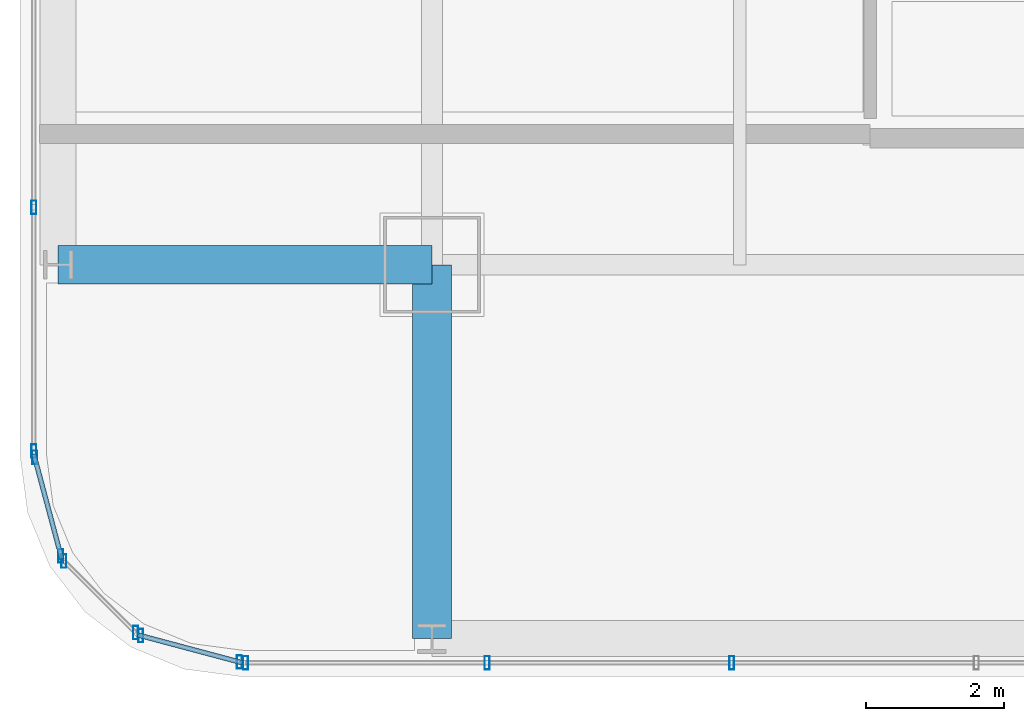
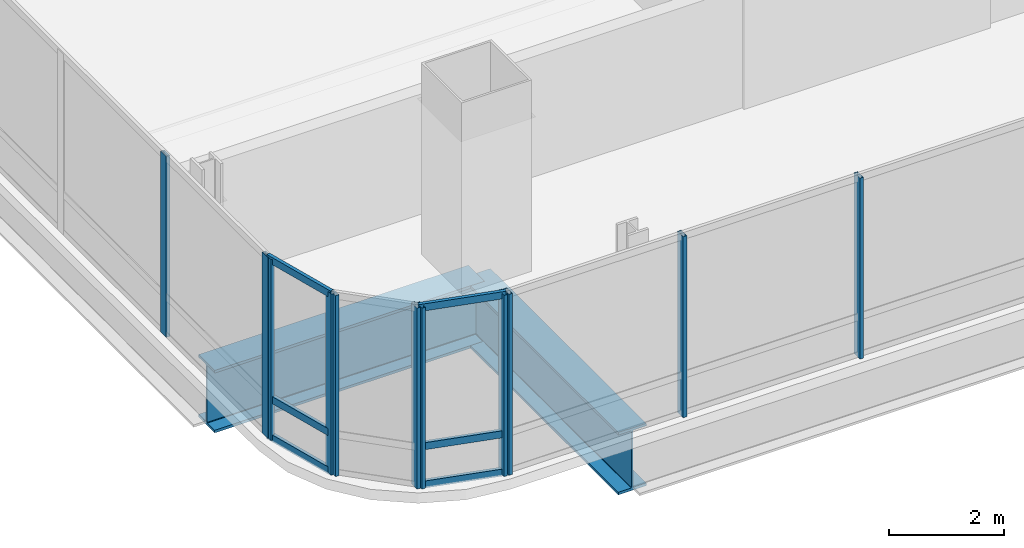
# One storey, part 2 of 36: 17 members, 2 beams, 5 elements without a shape of their own.
"""IFC4 building model written with IfcOpenShell, lengths in metres."""

from ifc_helpers import new_model, si_unit, direction, frame, origin, origin_2d, place, context, subcontext, project, spatial, hollow_rectangle, i_section, extrude, material, material_profile, profile_set, type_object, element, aggregate, save


model = new_model("IFC4")

# Units and contexts
model_context = context("Model", 3, precision=1e-05, world=origin(), true_north=direction((0.0, 1.0)))
body_context = subcontext(model_context, "Body", "Model", "MODEL_VIEW")
ifc_project = project(units=[si_unit("LENGTHUNIT", "METRE"), si_unit("AREAUNIT", "SQUARE_METRE"), si_unit("VOLUMEUNIT", "CUBIC_METRE"), si_unit("PLANEANGLEUNIT", "RADIAN"), si_unit("MASSUNIT", "GRAM", prefix="KILO")], contexts=[model_context])

# Site, building, storey
site_placement = place(None, origin())
site = spatial("IfcSite", under=ifc_project, at=site_placement, CompositionType="ELEMENT")
building_placement = place(site_placement, origin())
building = spatial("IfcBuilding", under=site, at=building_placement, Name="Punatoya Terracotta Tower", CompositionType="ELEMENT")
storey_placement = place(building_placement, frame((0.0, 0.0, 196.5)))
storey = spatial("IfcBuildingStorey", under=building, at=storey_placement, Name="L46", CompositionType="ELEMENT", Elevation=196.5)

# Beams
ifc_material_1 = material(Name="Steel S460", Category="steel")
ifc_material_profile_1 = material_profile(ifc_material_1, i_section(OverallWidth=0.56005859375, OverallDepth=1.320068359375, WebThickness=0.035888671875, FlangeThickness=0.054931640625, FilletRadius=0.01806640625, at=origin_2d()))
ifc_profile_set_1 = profile_set([ifc_material_profile_1], Name="Steel S460")
beam_type = type_object("IfcBeamType", Name="BM-TG-BLK", PredefinedType="BEAM", material=ifc_profile_set_1)
for number, where, z_axis, x_axis, name in (
    (1, (-24.5, -17.5, -0.8798828125), (1.0, 0.0, 0.0), (0.0, 1.0, 0.0), "BM-L46-CANT-W1"),
    (2, (-19.10009765625, -22.89990234375, -0.8798828125), (0.0, 1.0, 0.0), (-1.0, 0.0, 0.0), "BM-L46-CANT-S1"),
):
    element("IfcBeam", number, at=place(storey_placement, frame(where, z_axis=z_axis, x_axis=x_axis)), inside=storey, type_object=beam_type, Name=name, PredefinedType="BEAM", context=body_context, shape_type="SweptSolid", body=[
        extrude(i_section(OverallWidth=0.56005859375, OverallDepth=1.320068359375, WebThickness=0.035888671875, FlangeThickness=0.054931640625, FilletRadius=0.01806640625, at=origin_2d()), origin(), (0.0, 0.0, 1.0), 5.39990234375),
    ])

# Curtain wall, members
ifc_material_2 = material(Name="Aluminium 6063-T6 + Double Low-E Glass", Category="aluminium")
curtain_wall_type = type_object("IfcCurtainWallType", Name="CW-M2", PredefinedType="NOTDEFINED", material=ifc_material_2)
curtain_wall_1_placement = place(storey_placement, origin())
curtain_wall_1 = element("IfcCurtainWall", 3, at=curtain_wall_1_placement, inside=storey, type_object=curtain_wall_type, Name="L46 Curtain Wall CW-L46-S01-1", PredefinedType="NOTDEFINED")
ifc_material_3 = material(Name="Aluminium 6063-T6", Category="aluminium")
ifc_material_profile_2 = material_profile(ifc_material_3, hollow_rectangle(XDim=0.072021484375, YDim=0.195068359375, WallThickness=0.00439453125, at=origin_2d()))
ifc_profile_set_2 = profile_set([ifc_material_profile_2], Name="Aluminium 6063-T6")
member_type_1 = type_object("IfcMemberType", Name="CW-MUL-M2", PredefinedType="MULLION", material=ifc_profile_set_2)
member_1_placement = place(storey_placement, frame((-21.7919921875, -23.25, 0.0), z_axis=(0.0, 0.0, 1.0), x_axis=(1.0, 0.0, 0.0)))
member_1 = element("IfcMember", 4, at=member_1_placement, type_object=member_type_1, Name="CW-L46-S01-1 Mullion 00", PredefinedType="MULLION", context=body_context, shape_type="SweptSolid", body=[
    extrude(hollow_rectangle(XDim=0.072021484375, YDim=0.195068359375, WallThickness=0.00439453125, at=origin_2d()), origin(), (0.0, 0.0, 1.0), 3.830078125),
])
member_2_placement = place(storey_placement, frame((-18.302978515625, -23.25, 0.0), z_axis=(0.0, 0.0, 1.0), x_axis=(1.0, 0.0, 0.0)))
member_2 = element("IfcMember", 5, at=member_2_placement, type_object=member_type_1, Name="CW-L46-S01-1 Mullion 01", PredefinedType="MULLION", context=body_context, shape_type="SweptSolid", body=[
    extrude(hollow_rectangle(XDim=0.072021484375, YDim=0.195068359375, WallThickness=0.00439453125, at=origin_2d()), origin(), (0.0, 0.0, 1.0), 3.830078125),
])
member_3_placement = place(storey_placement, frame((-14.768798828125, -23.25, 0.0), z_axis=(0.0, 0.0, 1.0), x_axis=(1.0, 0.0, 0.0)))
member_3 = element("IfcMember", 6, at=member_3_placement, type_object=member_type_1, Name="CW-L46-S01-1 Mullion 02", PredefinedType="MULLION", context=body_context, shape_type="SweptSolid", body=[
    extrude(hollow_rectangle(XDim=0.072021484375, YDim=0.195068359375, WallThickness=0.00439453125, at=origin_2d()), origin(), (0.0, 0.0, 1.0), 3.830078125),
])
aggregate(curtain_wall_1, [member_1, member_2, member_3])

curtain_wall_2_placement = place(storey_placement, origin())
curtain_wall_2 = element("IfcCurtainWall", 7, at=curtain_wall_2_placement, inside=storey, type_object=curtain_wall_type, Name="L46 Curtain Wall CW-L46-W13-1", PredefinedType="NOTDEFINED")
member_4_placement = place(storey_placement, frame((-24.85009765625, -16.66943359375, 0.0), z_axis=(0.0, 0.0, 1.0), x_axis=(1.0, 0.0, 0.0)))
member_4 = element("IfcMember", 8, at=member_4_placement, type_object=member_type_1, Name="CW-L46-W13-1 Mullion 09", PredefinedType="MULLION", context=body_context, shape_type="SweptSolid", body=[
    extrude(hollow_rectangle(XDim=0.072021484375, YDim=0.195068359375, WallThickness=0.00439453125, at=origin_2d()), origin(), (0.0, 0.0, 1.0), 3.830078125),
])
member_5_placement = place(storey_placement, frame((-24.85009765625, -20.19189453125, 0.0), z_axis=(0.0, 0.0, 1.0), x_axis=(1.0, 0.0, 0.0)))
member_5 = element("IfcMember", 9, at=member_5_placement, type_object=member_type_1, Name="CW-L46-W13-1 Mullion 10", PredefinedType="MULLION", context=body_context, shape_type="SweptSolid", body=[
    extrude(hollow_rectangle(XDim=0.072021484375, YDim=0.195068359375, WallThickness=0.00439453125, at=origin_2d()), origin(), (0.0, 0.0, 1.0), 3.830078125),
])
aggregate(curtain_wall_2, [member_4, member_5])

curtain_wall_3_placement = place(storey_placement, origin())
curtain_wall_3 = element("IfcCurtainWall", 10, at=curtain_wall_3_placement, inside=storey, type_object=curtain_wall_type, Name="L46 Curtain Wall CW-L46-CRN14", PredefinedType="NOTDEFINED")
member_6_placement = place(storey_placement, frame((-24.83837890625, -20.280517578125, 0.0), z_axis=(0.0, 0.0, 1.0), x_axis=(1.0, 0.0, 0.0)))
member_6 = element("IfcMember", 11, at=member_6_placement, type_object=member_type_1, Name="CW-L46-CRN14 Mullion 00", PredefinedType="MULLION", context=body_context, shape_type="SweptSolid", body=[
    extrude(hollow_rectangle(XDim=0.072021484375, YDim=0.195068359375, WallThickness=0.00439453125, at=origin_2d()), origin(), (0.0, 0.0, 1.0), 3.830078125),
])
member_7_placement = place(storey_placement, frame((-24.458251953125, -21.70556640625, 0.0), z_axis=(0.0, 0.0, 1.0), x_axis=(1.0, 0.0, 0.0)))
member_7 = element("IfcMember", 12, at=member_7_placement, type_object=member_type_1, Name="CW-L46-CRN14 Mullion 01", PredefinedType="MULLION", context=body_context, shape_type="SweptSolid", body=[
    extrude(hollow_rectangle(XDim=0.072021484375, YDim=0.195068359375, WallThickness=0.00439453125, at=origin_2d()), origin(), (0.0, 0.0, 1.0), 3.830078125),
])

curtain_wall_4_placement = place(storey_placement, origin())
curtain_wall_4 = element("IfcCurtainWall", 13, at=curtain_wall_4_placement, inside=storey, type_object=curtain_wall_type, Name="L46 Curtain Wall CW-L46-CRN15", PredefinedType="NOTDEFINED")
member_8_placement = place(storey_placement, frame((-24.414794921875, -21.781005859375, 0.0), z_axis=(0.0, 0.0, 1.0), x_axis=(1.0, 0.0, 0.0)))
member_8 = element("IfcMember", 14, at=member_8_placement, type_object=member_type_1, Name="CW-L46-CRN15 Mullion 00", PredefinedType="MULLION", context=body_context, shape_type="SweptSolid", body=[
    extrude(hollow_rectangle(XDim=0.072021484375, YDim=0.195068359375, WallThickness=0.00439453125, at=origin_2d()), origin(), (0.0, 0.0, 1.0), 3.830078125),
])
member_9_placement = place(storey_placement, frame((-23.380859375, -22.814697265625, 0.0), z_axis=(0.0, 0.0, 1.0), x_axis=(1.0, 0.0, 0.0)))
member_9 = element("IfcMember", 15, at=member_9_placement, type_object=member_type_1, Name="CW-L46-CRN15 Mullion 01", PredefinedType="MULLION", context=body_context, shape_type="SweptSolid", body=[
    extrude(hollow_rectangle(XDim=0.072021484375, YDim=0.195068359375, WallThickness=0.00439453125, at=origin_2d()), origin(), (0.0, 0.0, 1.0), 3.830078125),
])
aggregate(curtain_wall_4, [member_8, member_9])

curtain_wall_5_placement = place(storey_placement, origin())
curtain_wall_5 = element("IfcCurtainWall", 16, at=curtain_wall_5_placement, inside=storey, type_object=curtain_wall_type, Name="L46 Curtain Wall CW-L46-CRN16", PredefinedType="NOTDEFINED")
member_10_placement = place(storey_placement, frame((-23.3056640625, -22.858154296875, 0.0), z_axis=(0.0, 0.0, 1.0), x_axis=(1.0, 0.0, 0.0)))
member_10 = element("IfcMember", 17, at=member_10_placement, type_object=member_type_1, Name="CW-L46-CRN16 Mullion 00", PredefinedType="MULLION", context=body_context, shape_type="SweptSolid", body=[
    extrude(hollow_rectangle(XDim=0.072021484375, YDim=0.195068359375, WallThickness=0.00439453125, at=origin_2d()), origin(), (0.0, 0.0, 1.0), 3.830078125),
])
member_11_placement = place(storey_placement, frame((-21.88037109375, -23.23828125, 0.0), z_axis=(0.0, 0.0, 1.0), x_axis=(1.0, 0.0, 0.0)))
member_11 = element("IfcMember", 18, at=member_11_placement, type_object=member_type_1, Name="CW-L46-CRN16 Mullion 01", PredefinedType="MULLION", context=body_context, shape_type="SweptSolid", body=[
    extrude(hollow_rectangle(XDim=0.072021484375, YDim=0.195068359375, WallThickness=0.00439453125, at=origin_2d()), origin(), (0.0, 0.0, 1.0), 3.830078125),
])

# Member
ifc_material_profile_3 = material_profile(ifc_material_3, hollow_rectangle(XDim=0.068115234375, YDim=0.14990234375, WallThickness=0.00390625, at=origin_2d()))
ifc_profile_set_3 = profile_set([ifc_material_profile_3], Name="Aluminium 6063-T6")
member_type_2 = type_object("IfcMemberType", Name="CW-TRN-TYP", PredefinedType="USERDEFINED", material=ifc_profile_set_3)
member_12_placement = place(storey_placement, frame((-24.85009765625, -20.23681640625, 0.0400390625), z_axis=(0.257847112249, -0.966185730957, 0.0), x_axis=(0.966185730957, 0.257847112249, 0.0)))
member_12 = element("IfcMember", 19, at=member_12_placement, type_object=member_type_2, Name="CW-L46-CRN14 Transom 1", ObjectType="TRANSOM", PredefinedType="USERDEFINED", context=body_context, shape_type="SweptSolid", body=[
    extrude(hollow_rectangle(XDim=0.068115234375, YDim=0.14990234375, WallThickness=0.00390625, at=origin_2d()), origin(), (0.0, 0.0, 1.0), 1.565185546875),
])

member_13_placement = place(storey_placement, frame((-24.85009765625, -20.23681640625, 0.85009765625), z_axis=(0.257847112249, -0.966185730957, 0.0), x_axis=(0.966185730957, 0.257847112249, 0.0)))
member_13 = element("IfcMember", 20, at=member_13_placement, type_object=member_type_2, Name="CW-L46-CRN14 Transom 2", ObjectType="TRANSOM", PredefinedType="USERDEFINED", context=body_context, shape_type="SweptSolid", body=[
    extrude(hollow_rectangle(XDim=0.068115234375, YDim=0.14990234375, WallThickness=0.00390625, at=origin_2d()), origin(), (0.0, 0.0, 1.0), 1.565185546875),
])

member_14_placement = place(storey_placement, frame((-24.85009765625, -20.23681640625, 3.7900390625), z_axis=(0.257847112249, -0.966185730957, 0.0), x_axis=(0.966185730957, 0.257847112249, 0.0)))
member_14 = element("IfcMember", 21, at=member_14_placement, type_object=member_type_2, Name="CW-L46-CRN14 Transom 3", ObjectType="TRANSOM", PredefinedType="USERDEFINED", context=body_context, shape_type="SweptSolid", body=[
    extrude(hollow_rectangle(XDim=0.068115234375, YDim=0.14990234375, WallThickness=0.00390625, at=origin_2d()), origin(), (0.0, 0.0, 1.0), 1.565185546875),
])

aggregate(curtain_wall_3, [member_6, member_7, member_12, member_13, member_14])

member_15_placement = place(storey_placement, frame((-23.34912109375, -22.8466796875, 0.0400390625), z_axis=(0.966224582397, -0.257701486942, 0.0), x_axis=(0.257701486942, 0.966224582397, 0.0)))
member_15 = element("IfcMember", 22, at=member_15_placement, type_object=member_type_2, Name="CW-L46-CRN16 Transom 1", ObjectType="TRANSOM", PredefinedType="USERDEFINED", context=body_context, shape_type="SweptSolid", body=[
    extrude(hollow_rectangle(XDim=0.068115234375, YDim=0.14990234375, WallThickness=0.00390625, at=origin_2d()), origin(), (0.0, 0.0, 1.0), 1.565185546875),
])

member_16_placement = place(storey_placement, frame((-23.34912109375, -22.8466796875, 0.85009765625), z_axis=(0.966224582397, -0.257701486942, 0.0), x_axis=(0.257701486942, 0.966224582397, 0.0)))
member_16 = element("IfcMember", 23, at=member_16_placement, type_object=member_type_2, Name="CW-L46-CRN16 Transom 2", ObjectType="TRANSOM", PredefinedType="USERDEFINED", context=body_context, shape_type="SweptSolid", body=[
    extrude(hollow_rectangle(XDim=0.068115234375, YDim=0.14990234375, WallThickness=0.00390625, at=origin_2d()), origin(), (0.0, 0.0, 1.0), 1.565185546875),
])

member_17_placement = place(storey_placement, frame((-23.34912109375, -22.8466796875, 3.7900390625), z_axis=(0.966224582397, -0.257701486942, 0.0), x_axis=(0.257701486942, 0.966224582397, 0.0)))
member_17 = element("IfcMember", 24, at=member_17_placement, type_object=member_type_2, Name="CW-L46-CRN16 Transom 3", ObjectType="TRANSOM", PredefinedType="USERDEFINED", context=body_context, shape_type="SweptSolid", body=[
    extrude(hollow_rectangle(XDim=0.068115234375, YDim=0.14990234375, WallThickness=0.00390625, at=origin_2d()), origin(), (0.0, 0.0, 1.0), 1.565185546875),
])

aggregate(curtain_wall_5, [member_10, member_11, member_15, member_16, member_17])

save(model, "model.ifc")
